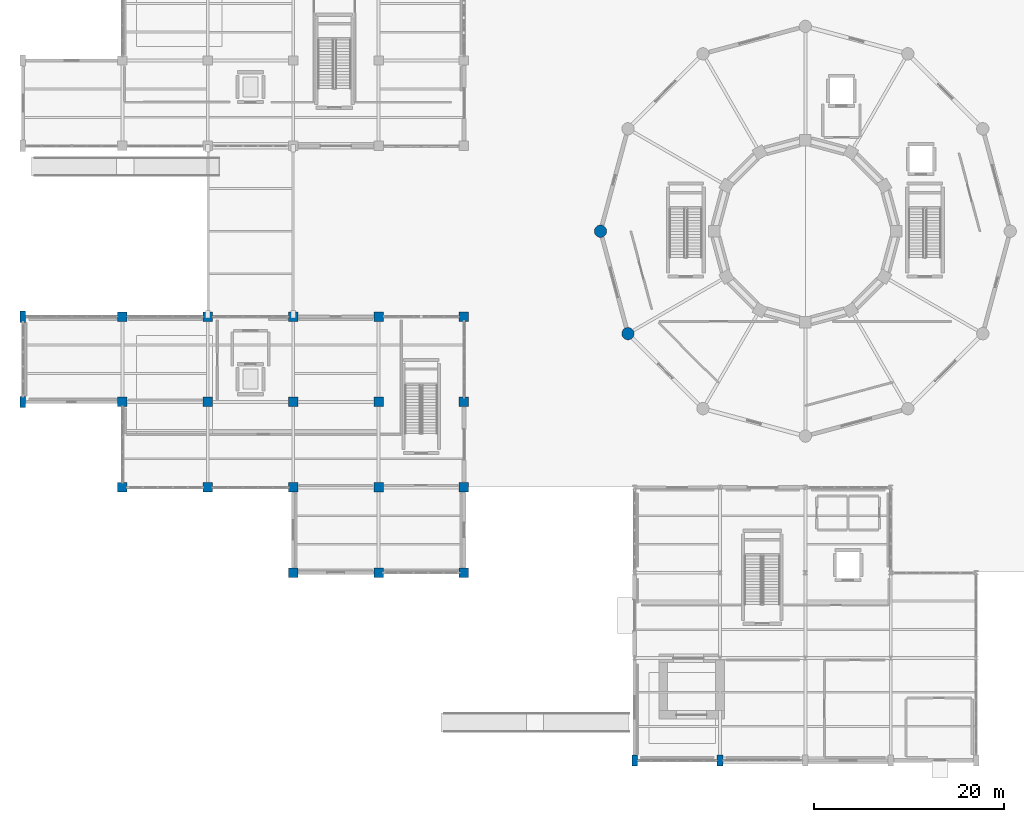
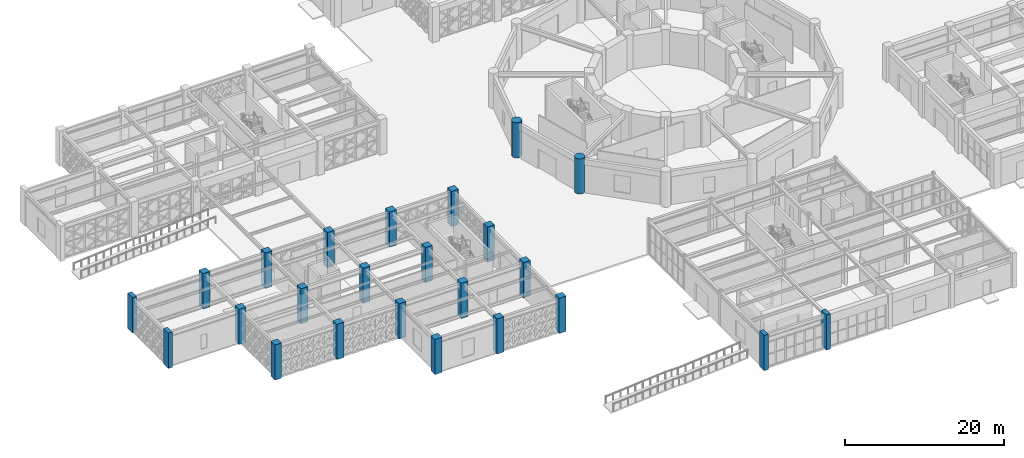
# One storey, part 1 of 140: 24 columns.
"""IFC4 building model written with IfcOpenShell, lengths in metres."""

from ifc_helpers import new_model, si_unit, direction, frame, origin, origin_2d, place, context, subcontext, project, spatial, rectangle, circle, extrude, material, material_profile, profile_set, type_object, element, save


model = new_model("IFC4")

# Units and contexts
model_context = context("Model", 3, precision=1e-05, world=origin(), true_north=direction((0.0, 1.0)))
body_context = subcontext(model_context, "Body", "Model", "MODEL_VIEW")
ifc_project = project(units=[si_unit("LENGTHUNIT", "METRE"), si_unit("AREAUNIT", "SQUARE_METRE"), si_unit("VOLUMEUNIT", "CUBIC_METRE"), si_unit("PLANEANGLEUNIT", "RADIAN"), si_unit("MASSUNIT", "GRAM", prefix="KILO")], contexts=[model_context])

# Site, building, storey
site_placement = place(None, origin())
site = spatial("IfcSite", under=ifc_project, at=site_placement, CompositionType="ELEMENT")
building_placement = place(site_placement, origin())
building = spatial("IfcBuilding", under=site, at=building_placement, Name="Haizhuo Lancet Aquarium", CompositionType="ELEMENT")
storey_placement = place(building_placement, origin())
storey = spatial("IfcBuildingStorey", under=building, at=storey_placement, Name="L00", CompositionType="ELEMENT", Elevation=0.0)

# Columns
ifc_material_1 = material(Name="Concrete C50/60", Category="concrete")
ifc_material_profile_1 = material_profile(ifc_material_1, circle(Radius=0.64990234375, at=origin_2d()), Name="RC-DC 1300")
ifc_profile_set_1 = profile_set([ifc_material_profile_1], Name="Concrete C50/60")
column_type_1 = type_object("IfcColumnType", Name="COL-DC-1300", PredefinedType="COLUMN", material=ifc_profile_set_1)
for number, where, z_axis, x_axis, name in (
    (1, (-21.60009765625, 0.0, 0.0), (0.0, 0.0, 1.0), (-1.0, 0.0, 0.0), "L00 column V1-COL-007"),
    (2, (-18.7060546875, -10.800048828125, 0.0), (0.0, 0.0, 1.0), (-0.866025403784, -0.5, 0.0), "L00 column V1-COL-008"),
):
    element("IfcColumn", number, at=place(storey_placement, frame(where, z_axis=z_axis, x_axis=x_axis)), inside=storey, type_object=column_type_1, Name=name, PredefinedType="COLUMN", context=body_context, shape_type="SweptSolid", body=[
        extrude(circle(Radius=0.64990234375, at=origin_2d()), origin(), (0.0, 0.0, 1.0), 5.39990234375),
    ])
ifc_material_profile_2 = material_profile(ifc_material_1, rectangle(XDim=1.0, YDim=1.0, at=origin_2d()), Name="RC-COL 1000x1000")
ifc_profile_set_2 = profile_set([ifc_material_profile_2], Name="Concrete C50/60")
column_type_2 = type_object("IfcColumnType", Name="COL-RC-1000", PredefinedType="COLUMN", material=ifc_profile_set_2)
for number, where, z_axis, x_axis, name in (
    (3, (-72.0, -27.0, 0.0), (0.0, 0.0, 1.0), (1.0, 0.0, 0.0), "L00 column V6-COL-110"),
    (4, (-72.0, -18.0, 0.0), (0.0, 0.0, 1.0), (1.0, 0.0, 0.0), "L00 column V6-COL-111"),
    (5, (-72.0, -9.0, 0.0), (0.0, 0.0, 1.0), (1.0, 0.0, 0.0), "L00 column V6-COL-112"),
    (6, (-63.0, -27.0, 0.0), (0.0, 0.0, 1.0), (1.0, 0.0, 0.0), "L00 column V6-COL-113"),
    (7, (-63.0, -18.0, 0.0), (0.0, 0.0, 1.0), (1.0, 0.0, 0.0), "L00 column V6-COL-114"),
    (8, (-63.0, -9.0, 0.0), (0.0, 0.0, 1.0), (1.0, 0.0, 0.0), "L00 column V6-COL-115"),
    (9, (-54.0, -36.0, 0.0), (0.0, 0.0, 1.0), (1.0, 0.0, 0.0), "L00 column V6-COL-116"),
    (10, (-54.0, -27.0, 0.0), (0.0, 0.0, 1.0), (1.0, 0.0, 0.0), "L00 column V6-COL-117"),
    (11, (-54.0, -18.0, 0.0), (0.0, 0.0, 1.0), (1.0, 0.0, 0.0), "L00 column V6-COL-118"),
    (12, (-54.0, -9.0, 0.0), (0.0, 0.0, 1.0), (1.0, 0.0, 0.0), "L00 column V6-COL-119"),
    (13, (-45.0, -36.0, 0.0), (0.0, 0.0, 1.0), (1.0, 0.0, 0.0), "L00 column V6-COL-120"),
    (14, (-45.0, -27.0, 0.0), (0.0, 0.0, 1.0), (1.0, 0.0, 0.0), "L00 column V6-COL-121"),
    (15, (-45.0, -18.0, 0.0), (0.0, 0.0, 1.0), (1.0, 0.0, 0.0), "L00 column V6-COL-122"),
    (16, (-45.0, -9.0, 0.0), (0.0, 0.0, 1.0), (1.0, 0.0, 0.0), "L00 column V6-COL-123"),
    (17, (-36.0, -36.0, 0.0), (0.0, 0.0, 1.0), (1.0, 0.0, 0.0), "L00 column V6-COL-124"),
    (18, (-36.0, -27.0, 0.0), (0.0, 0.0, 1.0), (1.0, 0.0, 0.0), "L00 column V6-COL-125"),
    (19, (-36.0, -18.0, 0.0), (0.0, 0.0, 1.0), (1.0, 0.0, 0.0), "L00 column V6-COL-126"),
    (20, (-36.0, -9.0, 0.0), (0.0, 0.0, 1.0), (1.0, 0.0, 0.0), "L00 column V6-COL-127"),
):
    element("IfcColumn", number, at=place(storey_placement, frame(where, z_axis=z_axis, x_axis=x_axis)), inside=storey, type_object=column_type_2, Name=name, PredefinedType="COLUMN", context=body_context, shape_type="SweptSolid", body=[
        extrude(rectangle(XDim=1.0, YDim=1.0, at=origin_2d()), origin(), (0.0, 0.0, 1.0), 5.39990234375),
    ])
ifc_material_2 = material(Name="Concrete C45/55", Category="concrete")
ifc_material_profile_3 = material_profile(ifc_material_2, rectangle(XDim=0.60009765625, YDim=1.199951171875, at=origin_2d()), Name="RC-PIL 600x1200")
ifc_profile_set_3 = profile_set([ifc_material_profile_3], Name="Concrete C45/55")
column_type_3 = type_object("IfcColumnType", Name="PIL-RC-600x1200", PredefinedType="PILASTER", material=ifc_profile_set_3)
for number, where, z_axis, x_axis, name in (
    (21, (-18.0, -55.800048828125, 0.0), (0.0, 0.0, 1.0), (1.0, 0.0, 0.0), "L00 column V4-COL-066"),
    (22, (-9.0, -55.800048828125, 0.0), (0.0, 0.0, 1.0), (1.0, 0.0, 0.0), "L00 column V4-COL-070"),
    (23, (-82.5, -18.0, 0.0), (0.0, 0.0, 1.0), (1.0, 0.0, 0.0), "L00 column V6-COL-108"),
    (24, (-82.5, -9.0, 0.0), (0.0, 0.0, 1.0), (1.0, 0.0, 0.0), "L00 column V6-COL-109"),
):
    element("IfcColumn", number, at=place(storey_placement, frame(where, z_axis=z_axis, x_axis=x_axis)), inside=storey, type_object=column_type_3, Name=name, PredefinedType="PILASTER", context=body_context, shape_type="SweptSolid", body=[
        extrude(rectangle(XDim=0.60009765625, YDim=1.199951171875, at=origin_2d()), origin(), (0.0, 0.0, 1.0), 5.39990234375),
    ])

save(model, "model.ifc")
